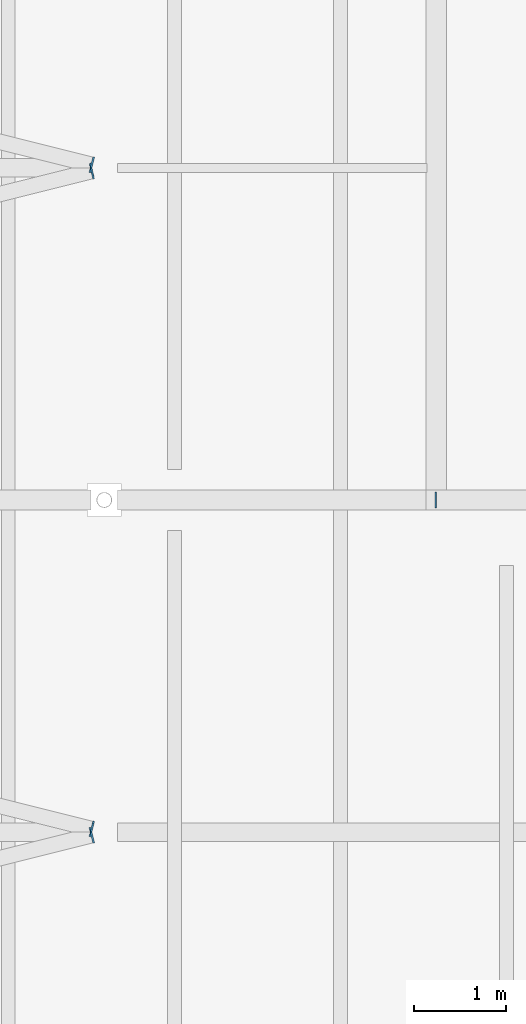
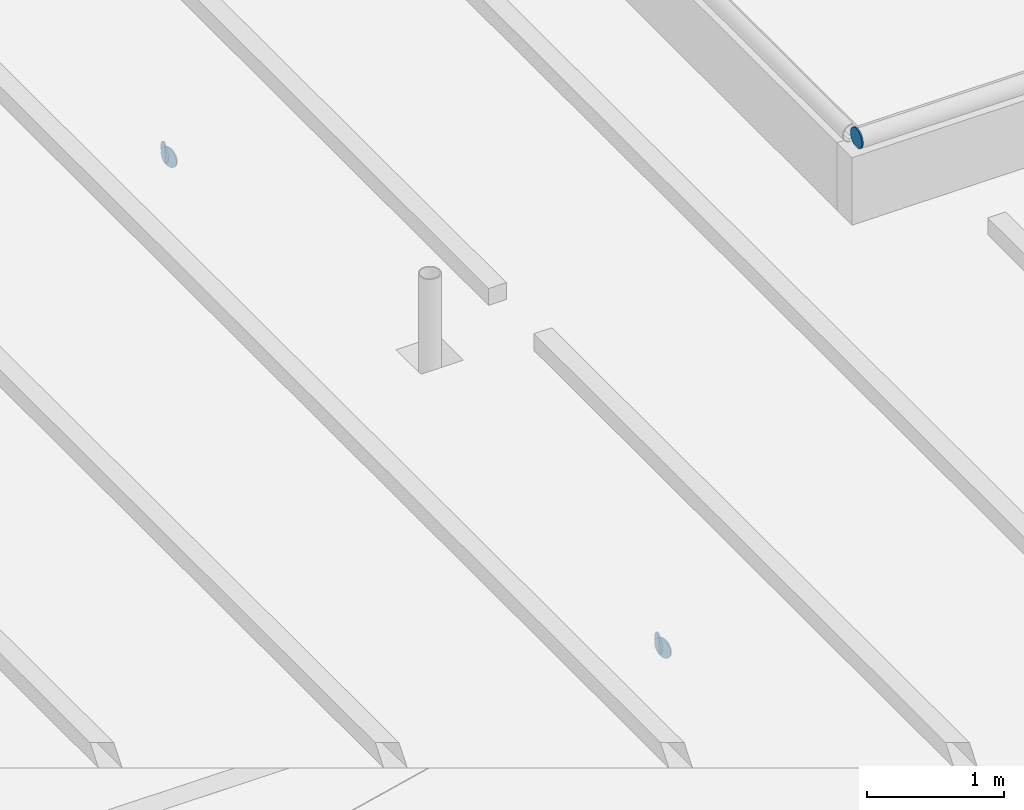
# One storey, part 80 of 120: 5 discrete accessories.
"""IFC4 building model written with IfcOpenShell, lengths in metres."""

from ifc_helpers import new_model, si_unit, direction, frame, origin, origin_2d, place, context, subcontext, project, spatial, circle, extrude, material, layer, layer_set, type_object, element, save


model = new_model("IFC4")

# Units and contexts
model_context = context("Model", 3, precision=1e-05, world=origin(), true_north=direction((0.0, 1.0)))
body_context = subcontext(model_context, "Body", "Model", "MODEL_VIEW")
ifc_project = project(units=[si_unit("LENGTHUNIT", "METRE"), si_unit("AREAUNIT", "SQUARE_METRE"), si_unit("VOLUMEUNIT", "CUBIC_METRE"), si_unit("PLANEANGLEUNIT", "RADIAN"), si_unit("MASSUNIT", "GRAM", prefix="KILO")], contexts=[model_context])

# Site, building, storey
site_placement = place(None, origin())
site = spatial("IfcSite", under=ifc_project, at=site_placement, CompositionType="ELEMENT")
building_placement = place(site_placement, origin())
building = spatial("IfcBuilding", under=site, at=building_placement, Name="Kupolbacken Congress Centre", CompositionType="ELEMENT")
storey_placement = place(building_placement, frame((0.0, 0.0, 21.60009765625)))
storey = spatial("IfcBuildingStorey", under=building, at=storey_placement, Name="L06", CompositionType="ELEMENT", Elevation=21.60009765625)

# Discrete accessories
ifc_material = material(Name="Steel S355", Category="steel")
ifc_layer = layer(ifc_material, 0.011962890625)
ifc_layer_set = layer_set([ifc_layer], Name="Steel S355")
discrete_accessory_type = type_object("IfcDiscreteAccessoryType", Name="EC2 tube end cap plate 168 dia x 12", PredefinedType="BRACKET", material=ifc_layer_set)
for number, where, z_axis, x_axis, name in (
    (1, (107.859375, 93.564697265625, -0.084228515625), (0.970142500145, 0.242535625036, 0.0), (-0.242535625036, 0.970142500145, 0.0), "End cap plate HR/RB/01-13 B"),
    (2, (107.859375, 93.63525390625, -0.084228515625), (0.970142500145, -0.242535625036, 0.0), (0.242535625036, 0.970142500145, 0.0), "End cap plate HR/RB/01-14 A"),
    (3, (107.859375, 100.764892578125, -0.084228515625), (0.974732318528, 0.223376156329, 0.0), (-0.223376156329, 0.974732318528, 0.0), "End cap plate HR/RB/01-15 B"),
    (4, (107.859375, 100.835205078125, -0.084228515625), (0.970142500145, -0.242535625036, 0.0), (0.242535625036, 0.970142500145, 0.0), "End cap plate HR/RB/01-16 A"),
):
    element("IfcDiscreteAccessory", number, at=place(storey_placement, frame(where, z_axis=z_axis, x_axis=x_axis)), inside=storey, type_object=discrete_accessory_type, Name=name, PredefinedType="BRACKET", context=body_context, shape_type="SweptSolid", body=[
        extrude(circle(Radius=0.084228515625, at=origin_2d()), origin(), (0.0, 0.0, 1.0), 0.011962890625),
    ])
discrete_accessory_placement = place(storey_placement, frame((111.60009765625, 97.199951171875, 0.944091796875), z_axis=(-1.0, 0.0, 0.0), x_axis=(0.0, -1.0, 0.0)))
element("IfcDiscreteAccessory", 5, at=discrete_accessory_placement, inside=storey, type_object=discrete_accessory_type, Name="End cap plate RD/RL3/FS A", PredefinedType="BRACKET", context=body_context, shape_type="SweptSolid", body=[
    extrude(circle(Radius=0.084228515625, at=origin_2d()), origin(), (0.0, 0.0, 1.0), 0.01220703125),
])

save(model, "model.ifc")
